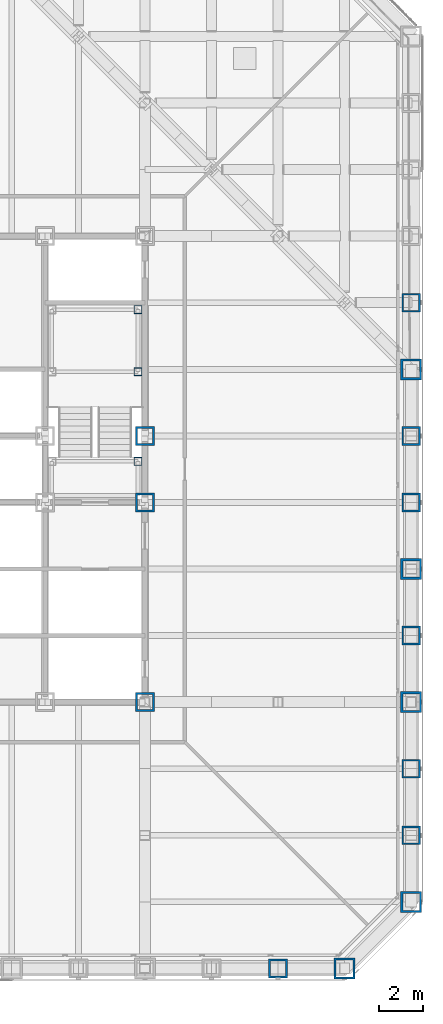
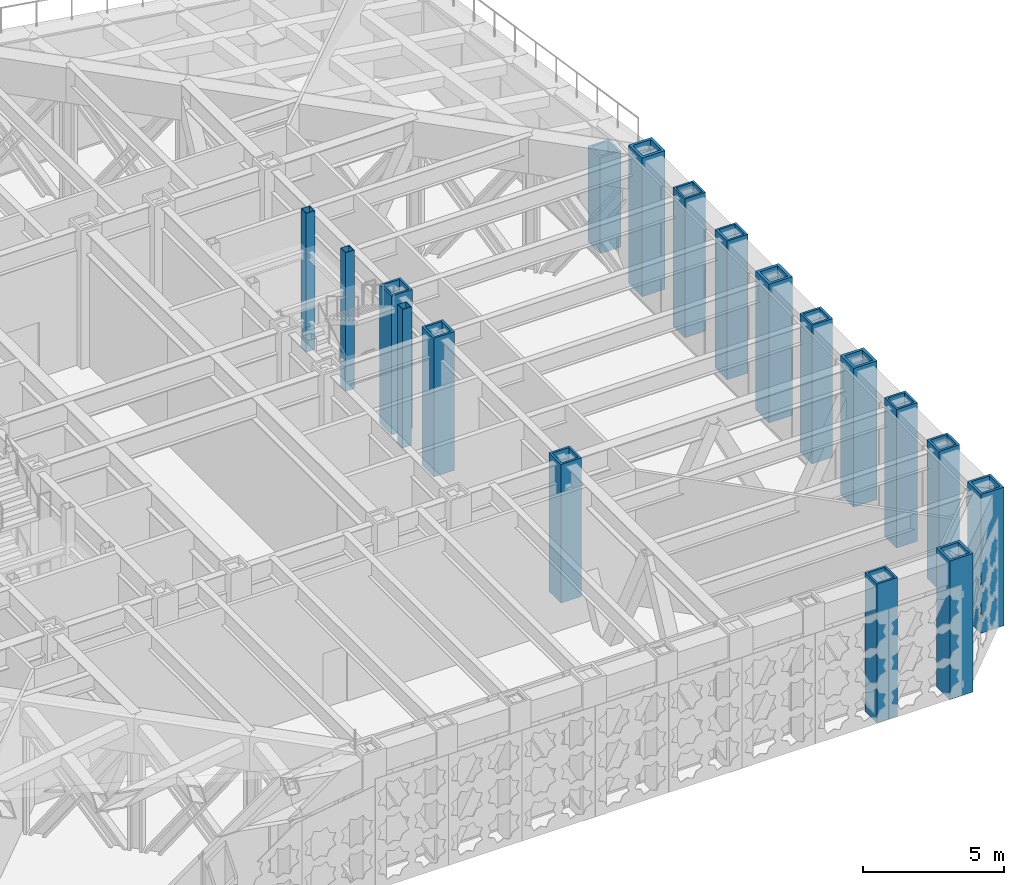
# One storey, part 2 of 31: 18 columns.
"""IFC4 building model written with IfcOpenShell, lengths in metres."""

from ifc_helpers import new_model, si_unit, direction, frame, origin, origin_2d, place, context, subcontext, project, spatial, hollow_rectangle, extrude, material, material_profile, profile_set, type_object, element, save


model = new_model("IFC4")

# Units and contexts
model_context = context("Model", 3, precision=1e-05, world=origin(), true_north=direction((0.0, 1.0)))
body_context = subcontext(model_context, "Body", "Model", "MODEL_VIEW")
ifc_project = project(units=[si_unit("LENGTHUNIT", "METRE"), si_unit("AREAUNIT", "SQUARE_METRE"), si_unit("VOLUMEUNIT", "CUBIC_METRE"), si_unit("PLANEANGLEUNIT", "RADIAN"), si_unit("MASSUNIT", "GRAM", prefix="KILO")], contexts=[model_context])

# Site, building, storey
site_placement = place(None, origin())
site = spatial("IfcSite", under=ifc_project, at=site_placement, CompositionType="ELEMENT")
building_placement = place(site_placement, origin())
building = spatial("IfcBuilding", under=site, at=building_placement, Name="Chuquiago Exchange Tower", CompositionType="ELEMENT")
storey_placement = place(building_placement, frame((0.0, 0.0, 96.300048828125)))
storey = spatial("IfcBuildingStorey", under=building, at=storey_placement, Name="L20", CompositionType="ELEMENT", Elevation=96.300048828125)

# Columns
ifc_material_1 = material(Name="Steel ASTM A572 Grade 50", Category="steel")
ifc_material_profile_1 = material_profile(ifc_material_1, hollow_rectangle(XDim=0.85009765625, YDim=0.85009765625, WallThickness=0.0849609375, at=origin_2d()), Name="BOX850X850X85")
ifc_profile_set_1 = profile_set([ifc_material_profile_1], Name="Steel ASTM A572 Grade 50")
column_type_1 = type_object("IfcColumnType", Name="C6 BOX850X850X85", PredefinedType="COLUMN", material=ifc_profile_set_1)
for number, where, z_axis, x_axis, name in (
    (1, (39.0, 0.0, 0.0), (0.0, 0.0, 1.0), (0.0, -1.0, 0.0), "COL-L20-39_0"),
    (2, (45.0, 6.0, 0.0), (0.0, 0.0, 1.0), (1.0, 0.0, 0.0), "COL-L20-45_6"),
    (3, (45.0, 9.0, 0.0), (0.0, 0.0, 1.0), (1.0, 0.0, 0.0), "COL-L20-45_9"),
    (4, (45.0, 15.0, 0.0), (0.0, 0.0, 1.0), (1.0, 0.0, 0.0), "COL-L20-45_15"),
    (5, (45.0, 21.0, 0.0), (0.0, 0.0, 1.0), (1.0, 0.0, 0.0), "COL-L20-45_21"),
    (6, (45.0, 24.0, 0.0), (0.0, 0.0, 1.0), (1.0, 0.0, 0.0), "COL-L20-45_24"),
):
    element("IfcColumn", number, at=place(storey_placement, frame(where, z_axis=z_axis, x_axis=x_axis)), inside=storey, type_object=column_type_1, Name=name, PredefinedType="COLUMN", context=body_context, shape_type="SweptSolid", body=[
        extrude(hollow_rectangle(XDim=0.85009765625, YDim=0.85009765625, WallThickness=0.0849609375, at=origin_2d()), origin(), (0.0, 0.0, 1.0), 6.0),
    ])
column_1_placement = place(storey_placement, frame((45.0, 30.0, 0.0), z_axis=(0.0, 0.0, 1.0), x_axis=(1.0, 0.0, 0.0)))
element("IfcColumn", 7, at=column_1_placement, inside=storey, type_object=column_type_1, Name="COL-L20-45_30", PredefinedType="COLUMN", context=body_context, shape_type="SweptSolid", body=[
    extrude(hollow_rectangle(XDim=0.85009765625, YDim=0.85009765625, WallThickness=0.0849609375, at=origin_2d()), origin(), (0.0, 0.0, 1.0), 4.149169921875),
])
ifc_material_2 = material(Name="Steel ASTM A572 Grade 50", Category="steel")
ifc_material_profile_2 = material_profile(ifc_material_2, hollow_rectangle(XDim=0.85009765625, YDim=0.85009765625, WallThickness=0.0849609375, at=origin_2d()), Name="BOX850X850X85")
ifc_profile_set_2 = profile_set([ifc_material_profile_2], Name="Steel ASTM A572 Grade 50")
column_type_2 = type_object("IfcColumnType", Name="CC2 BOX850X850X85", PredefinedType="COLUMN", material=ifc_profile_set_2)
for number, where, z_axis, x_axis, name in (
    (8, (33.0, 21.0, 0.0), (0.0, 0.0, 1.0), (1.0, 0.0, 0.0), "CCOL-L20-33_21"),
    (9, (33.0, 24.0, 0.0), (0.0, 0.0, 1.0), (1.0, 0.0, 0.0), "CCOL-L20-33_24"),
):
    element("IfcColumn", number, at=place(storey_placement, frame(where, z_axis=z_axis, x_axis=x_axis)), inside=storey, type_object=column_type_2, Name=name, PredefinedType="COLUMN", context=body_context, shape_type="SweptSolid", body=[
        extrude(hollow_rectangle(XDim=0.85009765625, YDim=0.85009765625, WallThickness=0.0849609375, at=origin_2d()), origin(), (0.0, 0.0, 1.0), 6.0),
    ])
ifc_material_3 = material(Name="Steel ASTM A572 Grade 50", Category="steel")
ifc_material_profile_3 = material_profile(ifc_material_3, hollow_rectangle(XDim=0.85009765625, YDim=0.85009765625, WallThickness=0.0849609375, at=origin_2d()), Name="BOX850X850X85")
ifc_profile_set_3 = profile_set([ifc_material_profile_3], Name="Steel ASTM A572 Grade 50")
column_type_3 = type_object("IfcColumnType", Name="CC6 BOX850X850X85", PredefinedType="COLUMN", material=ifc_profile_set_3)
column_2_placement = place(storey_placement, frame((33.0, 12.0, 0.0), z_axis=(0.0, 0.0, 1.0), x_axis=(1.0, 0.0, 0.0)))
element("IfcColumn", 10, at=column_2_placement, inside=storey, type_object=column_type_3, Name="CCOL-L20-33_12", PredefinedType="COLUMN", context=body_context, shape_type="SweptSolid", body=[
    extrude(hollow_rectangle(XDim=0.85009765625, YDim=0.85009765625, WallThickness=0.0849609375, at=origin_2d()), origin(), (0.0, 0.0, 1.0), 6.0),
])
ifc_material_4 = material(Name="Steel ASTM A572 Grade 50", Category="steel")
ifc_material_profile_4 = material_profile(ifc_material_4, hollow_rectangle(XDim=0.949951171875, YDim=0.949951171875, WallThickness=0.094970703125, at=origin_2d()), Name="BOX950X950X95")
ifc_profile_set_4 = profile_set([ifc_material_profile_4], Name="Steel ASTM A572 Grade 50")
column_type_4 = type_object("IfcColumnType", Name="CN1 BOX950X950X95", PredefinedType="COLUMN", material=ifc_profile_set_4)
for number, where, z_axis, x_axis, name in (
    (11, (42.0, 0.0, 0.0), (0.0, 0.0, 1.0), (0.0, -1.0, 0.0), "COL-L20-42_0"),
    (12, (45.0, 3.0, 0.0), (0.0, 0.0, 1.0), (1.0, 0.0, 0.0), "COL-L20-45_3"),
):
    element("IfcColumn", number, at=place(storey_placement, frame(where, z_axis=z_axis, x_axis=x_axis)), inside=storey, type_object=column_type_4, Name=name, PredefinedType="COLUMN", context=body_context, shape_type="SweptSolid", body=[
        extrude(hollow_rectangle(XDim=0.949951171875, YDim=0.949951171875, WallThickness=0.094970703125, at=origin_2d()), origin(), (0.0, 0.0, 1.0), 6.0),
    ])
ifc_material_5 = material(Name="Steel ASTM A572 Grade 42", Category="steel")
ifc_material_profile_5 = material_profile(ifc_material_5, hollow_rectangle(XDim=0.949951171875, YDim=0.949951171875, WallThickness=0.110107421875, at=origin_2d()), Name="BOX950X950X110")
ifc_profile_set_5 = profile_set([ifc_material_profile_5], Name="Steel ASTM A572 Grade 42")
column_type_5 = type_object("IfcColumnType", Name="CT1 BOX950X950X110", PredefinedType="COLUMN", material=ifc_profile_set_5)
for number, where, z_axis, x_axis, name in (
    (13, (45.0, 12.0, 0.0), (0.0, 0.0, 1.0), (1.0, 0.0, 0.0), "COL-L20-45_12"),
    (14, (45.0, 18.0, 0.0), (0.0, 0.0, 1.0), (1.0, 0.0, 0.0), "COL-L20-45_18"),
    (15, (45.0, 27.0, 0.0), (0.0, 0.0, 1.0), (1.0, 0.0, 0.0), "COL-L20-45_27"),
):
    element("IfcColumn", number, at=place(storey_placement, frame(where, z_axis=z_axis, x_axis=x_axis)), inside=storey, type_object=column_type_5, Name=name, PredefinedType="COLUMN", context=body_context, shape_type="SweptSolid", body=[
        extrude(hollow_rectangle(XDim=0.949951171875, YDim=0.949951171875, WallThickness=0.110107421875, at=origin_2d()), origin(), (0.0, 0.0, 1.0), 6.0),
    ])
ifc_material_6 = material(Name="Steel ASTM A500 Grade C", Category="steel")
ifc_material_profile_6 = material_profile(ifc_material_6, hollow_rectangle(XDim=0.355712890625, YDim=0.355712890625, WallThickness=0.0146484375, at=origin_2d()), Name="HSS14X14X5/8")
ifc_profile_set_6 = profile_set([ifc_material_profile_6], Name="Steel ASTM A500 Grade C")
column_type_6 = type_object("IfcColumnType", Name="PT2 HSS14X14X5/8", PredefinedType="COLUMN", material=ifc_profile_set_6)
for number, where, z_axis, x_axis, name in (
    (16, (32.68994140625, 29.68994140625, 0.0), (0.0, 0.0, 1.0), (1.0, 0.0, 0.0), "Stair ST2 L20 landing post"),
    (17, (32.68994140625, 26.889892578125, 0.0), (0.0, 0.0, 1.0), (1.0, 0.0, 0.0), "Stair ST2 L20 landing post"),
    (18, (32.68994140625, 22.85009765625, 0.0), (0.0, 0.0, 1.0), (1.0, 0.0, 0.0), "Stair ST2 L20 landing post"),
):
    element("IfcColumn", number, at=place(storey_placement, frame(where, z_axis=z_axis, x_axis=x_axis)), inside=storey, type_object=column_type_6, Name=name, PredefinedType="COLUMN", context=body_context, shape_type="SweptSolid", body=[
        extrude(hollow_rectangle(XDim=0.355712890625, YDim=0.355712890625, WallThickness=0.0146484375, at=origin_2d()), origin(), (0.0, 0.0, 1.0), 6.0),
    ])

save(model, "model.ifc")
